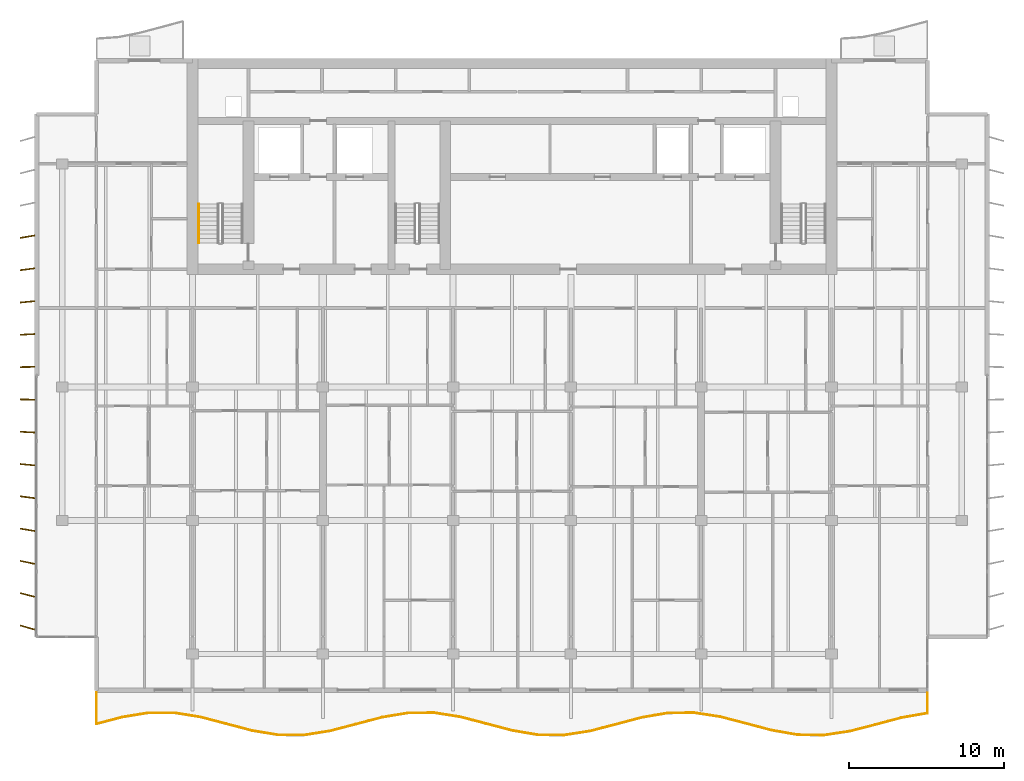
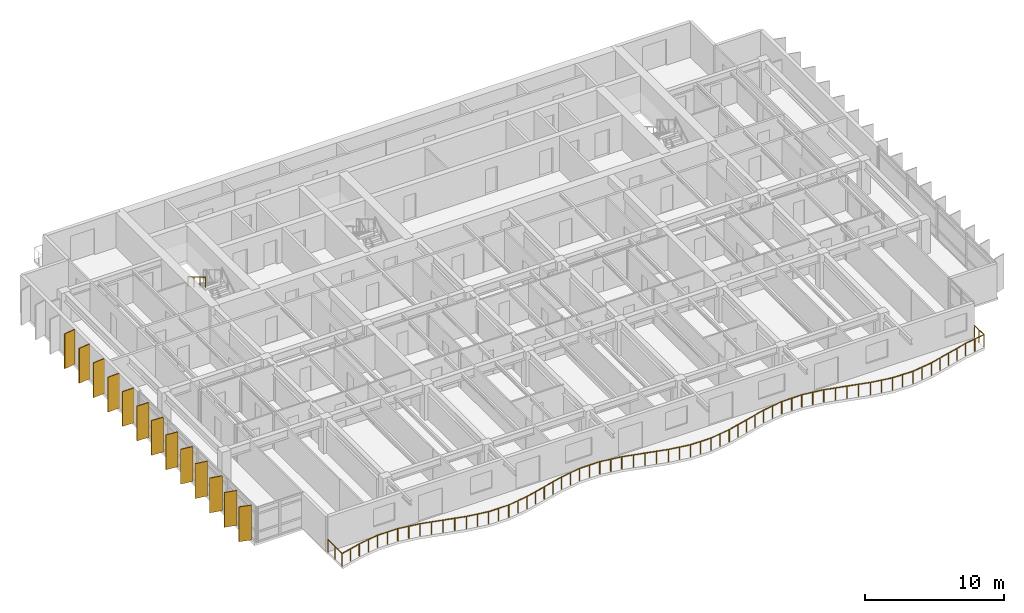
# One storey, part 13 of 17: 13 shading devices, 2 railings.
"""IFC4 building model written with IfcOpenShell, lengths in metres."""

from ifc_helpers import new_model, si_unit, direction, frame, origin, origin_2d, place, context, subcontext, project, spatial, rectangle, circle, extrude, material, material_profile, profile_set, type_object, element, save


model = new_model("IFC4")

# Units and contexts
model_context = context("Model", 3, precision=1e-05, world=origin(), true_north=direction((0.0, 1.0)))
body_context = subcontext(model_context, "Body", "Model", "MODEL_VIEW")
ifc_project = project(units=[si_unit("LENGTHUNIT", "METRE"), si_unit("AREAUNIT", "SQUARE_METRE"), si_unit("VOLUMEUNIT", "CUBIC_METRE"), si_unit("PLANEANGLEUNIT", "RADIAN"), si_unit("MASSUNIT", "GRAM", prefix="KILO")], contexts=[model_context])

# Site, building, storey
site_placement = place(None, origin())
site = spatial("IfcSite", under=ifc_project, at=site_placement, CompositionType="ELEMENT")
building_placement = place(site_placement, origin())
building = spatial("IfcBuilding", under=site, at=building_placement, Name="Caelmar Bay Residences", CompositionType="ELEMENT")
storey_placement = place(building_placement, frame((0.0, 0.0, 229.800048828125)))
storey = spatial("IfcBuildingStorey", under=building, at=storey_placement, Name="L64", CompositionType="ELEMENT", Elevation=229.800048828125)

# Railings
ifc_material_1 = material(Name="Anodised bronze handrail with laminated hurricane glass infill", Category="glass")
railing_type_1 = type_object("IfcRailingType", Name="RL-BAL-1100", PredefinedType="BALUSTRADE", material=ifc_material_1)
railing_1_placement = place(storey_placement, frame((12.10009765625, 9.699951171875, 0.0)))
element("IfcRailing", 1, at=railing_1_placement, inside=storey, type_object=railing_type_1, Name="L64 south Balcony Balustrade", PredefinedType="BALUSTRADE", context=body_context, shape_type="SweptSolid", body=[
    extrude(circle(Radius=0.02392578125, at=origin_2d()), frame((0.0, 0.0, 1.076171875), z_axis=(0.0, -1.0, 0.0), x_axis=(1.0, 0.0, 0.0)), (0.0, 0.0, 1.0), 2.02001953125),
    extrude(circle(Radius=0.02392578125, at=origin_2d()), frame((0.0, -2.02001953125, 1.076171875), z_axis=(0.967222308525, 0.253931104614, 0.0), x_axis=(-0.253931104614, 0.967222308525, 0.0)), (0.0, 0.0, 1.0), 1.7314453125),
    extrude(circle(Radius=0.02392578125, at=origin_2d()), frame((1.6748046875, -1.580322265625, 1.076171875), z_axis=(0.987005147608, 0.160688638665, 0.0), x_axis=(-0.160688638665, 0.987005147608, 0.0)), (0.0, 0.0, 1.0), 1.697021484375),
    extrude(circle(Radius=0.02392578125, at=origin_2d()), frame((3.349853515625, -1.3076171875, 1.076171875), z_axis=(0.999999139641, 0.001311761005, 0.0), x_axis=(-0.001311761005, 0.999999139641, 0.0)), (0.0, 0.0, 1.0), 1.675048828125),
    extrude(circle(Radius=0.02392578125, at=origin_2d()), frame((5.02490234375, -1.305419921875, 1.076171875), z_axis=(0.987345263102, -0.158585407366, 0.0), x_axis=(0.158585407366, 0.987345263102, 0.0)), (0.0, 0.0, 1.0), 1.696533203125),
    extrude(circle(Radius=0.02392578125, at=origin_2d()), frame((6.699951171875, -1.574462890625, 1.076171875), z_axis=(0.967404305386, -0.253236865249, 0.0), x_axis=(0.253236865249, 0.967404305386, 0.0)), (0.0, 0.0, 1.0), 1.7314453125),
    extrude(circle(Radius=0.02392578125, at=origin_2d()), frame((8.375, -2.012939453125, 1.076171875), z_axis=(0.967048968014, -0.2545904426, 0.0), x_axis=(0.2545904426, 0.967048968014, 0.0)), (0.0, 0.0, 1.0), 1.73193359375),
    extrude(circle(Radius=0.02392578125, at=origin_2d()), frame((10.0498046875, -2.453857421875, 1.076171875), z_axis=(0.98666079228, -0.162789683262, 0.0), x_axis=(0.162789683262, 0.98666079228, 0.0)), (0.0, 0.0, 1.0), 1.69775390625),
    extrude(circle(Radius=0.02392578125, at=origin_2d()), frame((11.724853515625, -2.730224609375, 1.076171875), z_axis=(0.999992819789, -0.003789507844, 0.0), x_axis=(0.003789507844, 0.999992819789, 0.0)), (0.0, 0.0, 1.0), 1.675048828125),
    extrude(circle(Radius=0.02392578125, at=origin_2d()), frame((13.39990234375, -2.736572265625, 1.076171875), z_axis=(0.987658866913, 0.156620441219, 0.0), x_axis=(-0.156620441219, 0.987658866913, 0.0)), (0.0, 0.0, 1.0), 1.696044921875),
    extrude(circle(Radius=0.02392578125, at=origin_2d()), frame((15.074951171875, -2.470947265625, 1.076171875), z_axis=(0.967611281442, 0.252444861359, 0.0), x_axis=(-0.252444861359, 0.967611281442, 0.0)), (0.0, 0.0, 1.0), 1.731201171875),
    extrude(circle(Radius=0.02392578125, at=origin_2d()), frame((16.75, -2.033935546875, 1.076171875), z_axis=(0.966840448599, 0.255381179717, 0.0), x_axis=(-0.255381179717, 0.966840448599, 0.0)), (0.0, 0.0, 1.0), 1.732177734375),
    extrude(circle(Radius=0.02392578125, at=origin_2d()), frame((18.4248046875, -1.591552734375, 1.076171875), z_axis=(0.986358932104, 0.164608800067, 0.0), x_axis=(-0.164608800067, 0.986358932104, 0.0)), (0.0, 0.0, 1.0), 1.6982421875),
    extrude(circle(Radius=0.02392578125, at=origin_2d()), frame((20.099853515625, -1.31201171875, 1.076171875), z_axis=(0.999979436969, 0.006412927449, 0.0), x_axis=(-0.006412927449, 0.999979436969, 0.0)), (0.0, 0.0, 1.0), 1.675048828125),
    extrude(circle(Radius=0.02392578125, at=origin_2d()), frame((21.77490234375, -1.30126953125, 1.076171875), z_axis=(0.987990746814, -0.154513055142, 0.0), x_axis=(0.154513055142, 0.987990746814, 0.0)), (0.0, 0.0, 1.0), 1.6953125),
    extrude(circle(Radius=0.02392578125, at=origin_2d()), frame((23.449951171875, -1.563232421875, 1.076171875), z_axis=(0.967783333474, -0.251784470231, 0.0), x_axis=(0.251784470231, 0.967783333474, 0.0)), (0.0, 0.0, 1.0), 1.730712890625),
    extrude(circle(Radius=0.02392578125, at=origin_2d()), frame((25.125, -1.9990234375, 1.076171875), z_axis=(0.966701126632, -0.255908053348, 0.0), x_axis=(0.255908053348, 0.966701126632, 0.0)), (0.0, 0.0, 1.0), 1.732421875),
    extrude(circle(Radius=0.02392578125, at=origin_2d()), frame((26.7998046875, -2.4423828125, 1.076171875), z_axis=(0.986006699447, -0.166705694703, 0.0), x_axis=(0.166705694703, 0.986006699447, 0.0)), (0.0, 0.0, 1.0), 1.69873046875),
    extrude(circle(Radius=0.02392578125, at=origin_2d()), frame((28.474853515625, -2.7255859375, 1.076171875), z_axis=(0.999959172579, -0.009036214648, 0.0), x_axis=(0.009036214648, 0.999959172579, 0.0)), (0.0, 0.0, 1.0), 1.675048828125),
    extrude(circle(Radius=0.02392578125, at=origin_2d()), frame((30.14990234375, -2.74072265625, 1.076171875), z_axis=(0.988274914927, 0.152684945317, 0.0), x_axis=(-0.152684945317, 0.988274914927, 0.0)), (0.0, 0.0, 1.0), 1.69482421875),
    extrude(circle(Radius=0.02392578125, at=origin_2d()), frame((31.824951171875, -2.48193359375, 1.076171875), z_axis=(0.968023551237, 0.250859331599, 0.0), x_axis=(-0.250859331599, 0.968023551237, 0.0)), (0.0, 0.0, 1.0), 1.73046875),
    extrude(circle(Radius=0.02392578125, at=origin_2d()), frame((33.5, -2.0478515625, 1.076171875), z_axis=(0.966526627148, 0.256566324787, 0.0), x_axis=(-0.256566324787, 0.966526627148, 0.0)), (0.0, 0.0, 1.0), 1.73291015625),
    extrude(circle(Radius=0.02392578125, at=origin_2d()), frame((35.1748046875, -1.603271484375, 1.076171875), z_axis=(0.985674159439, 0.168660758371, 0.0), x_axis=(-0.168660758371, 0.985674159439, 0.0)), (0.0, 0.0, 1.0), 1.699462890625),
    extrude(circle(Radius=0.02392578125, at=origin_2d()), frame((36.849853515625, -1.316650390625, 1.076171875), z_axis=(0.999933716388, 0.011513593295, 0.0), x_axis=(-0.011513593295, 0.999933716388, 0.0)), (0.0, 0.0, 1.0), 1.675048828125),
    extrude(circle(Radius=0.02392578125, at=origin_2d()), frame((38.52490234375, -1.29736328125, 1.076171875), z_axis=(0.988620234963, -0.150432812316, 0.0), x_axis=(0.150432812316, 0.988620234963, 0.0)), (0.0, 0.0, 1.0), 1.6943359375),
    extrude(circle(Radius=0.02392578125, at=origin_2d()), frame((40.199951171875, -1.55224609375, 1.076171875), z_axis=(0.968228842599, -0.250065808058, 0.0), x_axis=(0.250065808058, 0.968228842599, 0.0)), (0.0, 0.0, 1.0), 1.72998046875),
    extrude(circle(Radius=0.02392578125, at=origin_2d()), frame((41.875, -1.98486328125, 1.076171875), z_axis=(0.966351742726, -0.25722423939, 0.0), x_axis=(0.25722423939, 0.966351742726, 0.0)), (0.0, 0.0, 1.0), 1.733154296875),
    extrude(circle(Radius=0.02392578125, at=origin_2d()), frame((43.5498046875, -2.4306640625, 1.076171875), z_axis=(0.985337972393, -0.170613833436, 0.0), x_axis=(0.170613833436, 0.985337972393, 0.0)), (0.0, 0.0, 1.0), 1.699951171875),
    extrude(circle(Radius=0.02392578125, at=origin_2d()), frame((45.224853515625, -2.720703125, 1.076171875), z_axis=(0.999900075143, -0.01413646805, 0.0), x_axis=(0.01413646805, 0.999900075143, 0.0)), (0.0, 0.0, 1.0), 1.67529296875),
    extrude(circle(Radius=0.02392578125, at=origin_2d()), frame((46.89990234375, -2.744384765625, 1.076171875), z_axis=(0.988939524411, 0.148319307771, 0.0), x_axis=(-0.148319307771, 0.988939524411, 0.0)), (0.0, 0.0, 1.0), 1.69384765625),
    extrude(circle(Radius=0.02392578125, at=origin_2d()), frame((48.574951171875, -2.4931640625, 1.076171875), z_axis=(0.968433570022, 0.249271780303, 0.0), x_axis=(-0.249271780303, 0.968433570022, 0.0)), (0.0, 0.0, 1.0), 1.729736328125),
    extrude(circle(Radius=0.02392578125, at=origin_2d()), frame((50.25, -2.06201171875, 1.076171875), z_axis=(0.966176474063, 0.257881796503, 0.0), x_axis=(-0.257881796503, 0.966176474063, 0.0)), (0.0, 0.0, 1.0), 1.7333984375),
    extrude(circle(Radius=0.02392578125, at=origin_2d()), frame((51.9248046875, -1.614990234375, 1.076171875), z_axis=(0.985022543301, 0.172425604796, 0.0), x_axis=(-0.172425604796, 0.985022543301, 0.0)), (0.0, 0.0, 1.0), 1.700439453125),
    extrude(circle(Radius=0.02392578125, at=origin_2d()), frame((53.599853515625, -1.32177734375, 1.076171875), z_axis=(0.0, 1.0, 0.0), x_axis=(-1.0, 0.0, 0.0)), (0.0, 0.0, 1.0), 1.32177734375),
    extrude(circle(Radius=0.02099609375, at=origin_2d()), origin(), (0.0, 0.0, 1.0), 1.052001953125),
    extrude(circle(Radius=0.02099609375, at=origin_2d()), frame((0.0, -1.010009765625, 0.0)), (0.0, 0.0, 1.0), 1.052001953125),
    extrude(circle(Radius=0.02099609375, at=origin_2d()), frame((0.0, -2.02001953125, 0.0)), (0.0, 0.0, 1.0), 1.052001953125),
    extrude(circle(Radius=0.02099609375, at=origin_2d()), frame((0.83740234375, -1.80029296875, 0.0)), (0.0, 0.0, 1.0), 1.052001953125),
    extrude(circle(Radius=0.02099609375, at=origin_2d()), frame((1.6748046875, -1.580322265625, 0.0)), (0.0, 0.0, 1.0), 1.052001953125),
    extrude(circle(Radius=0.02099609375, at=origin_2d()), frame((2.51220703125, -1.44384765625, 0.0)), (0.0, 0.0, 1.0), 1.052001953125),
    extrude(circle(Radius=0.02099609375, at=origin_2d()), frame((3.349853515625, -1.3076171875, 0.0)), (0.0, 0.0, 1.0), 1.052001953125),
    extrude(circle(Radius=0.02099609375, at=origin_2d()), frame((4.1875, -1.306640625, 0.0)), (0.0, 0.0, 1.0), 1.052001953125),
    extrude(circle(Radius=0.02099609375, at=origin_2d()), frame((5.02490234375, -1.305419921875, 0.0)), (0.0, 0.0, 1.0), 1.052001953125),
    extrude(circle(Radius=0.02099609375, at=origin_2d()), frame((5.8623046875, -1.43994140625, 0.0)), (0.0, 0.0, 1.0), 1.052001953125),
    extrude(circle(Radius=0.02099609375, at=origin_2d()), frame((6.699951171875, -1.574462890625, 0.0)), (0.0, 0.0, 1.0), 1.052001953125),
    extrude(circle(Radius=0.02099609375, at=origin_2d()), frame((7.53759765625, -1.793701171875, 0.0)), (0.0, 0.0, 1.0), 1.052001953125),
    extrude(circle(Radius=0.02099609375, at=origin_2d()), frame((8.375, -2.012939453125, 0.0)), (0.0, 0.0, 1.0), 1.052001953125),
    extrude(circle(Radius=0.02099609375, at=origin_2d()), frame((9.21240234375, -2.2333984375, 0.0)), (0.0, 0.0, 1.0), 1.052001953125),
    extrude(circle(Radius=0.02099609375, at=origin_2d()), frame((10.0498046875, -2.453857421875, 0.0)), (0.0, 0.0, 1.0), 1.052001953125),
    extrude(circle(Radius=0.02099609375, at=origin_2d()), frame((10.88720703125, -2.592041015625, 0.0)), (0.0, 0.0, 1.0), 1.052001953125),
    extrude(circle(Radius=0.02099609375, at=origin_2d()), frame((11.724853515625, -2.730224609375, 0.0)), (0.0, 0.0, 1.0), 1.052001953125),
    extrude(circle(Radius=0.02099609375, at=origin_2d()), frame((12.5625, -2.7333984375, 0.0)), (0.0, 0.0, 1.0), 1.052001953125),
    extrude(circle(Radius=0.02099609375, at=origin_2d()), frame((13.39990234375, -2.736572265625, 0.0)), (0.0, 0.0, 1.0), 1.052001953125),
    extrude(circle(Radius=0.02099609375, at=origin_2d()), frame((14.2373046875, -2.603759765625, 0.0)), (0.0, 0.0, 1.0), 1.052001953125),
    extrude(circle(Radius=0.02099609375, at=origin_2d()), frame((15.074951171875, -2.470947265625, 0.0)), (0.0, 0.0, 1.0), 1.052001953125),
    extrude(circle(Radius=0.02099609375, at=origin_2d()), frame((15.91259765625, -2.25244140625, 0.0)), (0.0, 0.0, 1.0), 1.052001953125),
    extrude(circle(Radius=0.02099609375, at=origin_2d()), frame((16.75, -2.033935546875, 0.0)), (0.0, 0.0, 1.0), 1.052001953125),
    extrude(circle(Radius=0.02099609375, at=origin_2d()), frame((17.58740234375, -1.812744140625, 0.0)), (0.0, 0.0, 1.0), 1.052001953125),
    extrude(circle(Radius=0.02099609375, at=origin_2d()), frame((18.4248046875, -1.591552734375, 0.0)), (0.0, 0.0, 1.0), 1.052001953125),
    extrude(circle(Radius=0.02099609375, at=origin_2d()), frame((19.26220703125, -1.45166015625, 0.0)), (0.0, 0.0, 1.0), 1.052001953125),
    extrude(circle(Radius=0.02099609375, at=origin_2d()), frame((20.099853515625, -1.31201171875, 0.0)), (0.0, 0.0, 1.0), 1.052001953125),
    extrude(circle(Radius=0.02099609375, at=origin_2d()), frame((20.9375, -1.306640625, 0.0)), (0.0, 0.0, 1.0), 1.052001953125),
    extrude(circle(Radius=0.02099609375, at=origin_2d()), frame((21.77490234375, -1.30126953125, 0.0)), (0.0, 0.0, 1.0), 1.052001953125),
    extrude(circle(Radius=0.02099609375, at=origin_2d()), frame((22.6123046875, -1.43212890625, 0.0)), (0.0, 0.0, 1.0), 1.052001953125),
    extrude(circle(Radius=0.02099609375, at=origin_2d()), frame((23.449951171875, -1.563232421875, 0.0)), (0.0, 0.0, 1.0), 1.052001953125),
    extrude(circle(Radius=0.02099609375, at=origin_2d()), frame((24.28759765625, -1.78125, 0.0)), (0.0, 0.0, 1.0), 1.052001953125),
    extrude(circle(Radius=0.02099609375, at=origin_2d()), frame((25.125, -1.9990234375, 0.0)), (0.0, 0.0, 1.0), 1.052001953125),
    extrude(circle(Radius=0.02099609375, at=origin_2d()), frame((25.96240234375, -2.220703125, 0.0)), (0.0, 0.0, 1.0), 1.052001953125),
    extrude(circle(Radius=0.02099609375, at=origin_2d()), frame((26.7998046875, -2.4423828125, 0.0)), (0.0, 0.0, 1.0), 1.052001953125),
    extrude(circle(Radius=0.02099609375, at=origin_2d()), frame((27.63720703125, -2.583984375, 0.0)), (0.0, 0.0, 1.0), 1.052001953125),
    extrude(circle(Radius=0.02099609375, at=origin_2d()), frame((28.474853515625, -2.7255859375, 0.0)), (0.0, 0.0, 1.0), 1.052001953125),
    extrude(circle(Radius=0.02099609375, at=origin_2d()), frame((29.3125, -2.733154296875, 0.0)), (0.0, 0.0, 1.0), 1.052001953125),
    extrude(circle(Radius=0.02099609375, at=origin_2d()), frame((30.14990234375, -2.74072265625, 0.0)), (0.0, 0.0, 1.0), 1.052001953125),
    extrude(circle(Radius=0.02099609375, at=origin_2d()), frame((30.9873046875, -2.611328125, 0.0)), (0.0, 0.0, 1.0), 1.052001953125),
    extrude(circle(Radius=0.02099609375, at=origin_2d()), frame((31.824951171875, -2.48193359375, 0.0)), (0.0, 0.0, 1.0), 1.052001953125),
    extrude(circle(Radius=0.02099609375, at=origin_2d()), frame((32.66259765625, -2.264892578125, 0.0)), (0.0, 0.0, 1.0), 1.052001953125),
    extrude(circle(Radius=0.02099609375, at=origin_2d()), frame((33.5, -2.0478515625, 0.0)), (0.0, 0.0, 1.0), 1.052001953125),
    extrude(circle(Radius=0.02099609375, at=origin_2d()), frame((34.33740234375, -1.82568359375, 0.0)), (0.0, 0.0, 1.0), 1.052001953125),
    extrude(circle(Radius=0.02099609375, at=origin_2d()), frame((35.1748046875, -1.603271484375, 0.0)), (0.0, 0.0, 1.0), 1.052001953125),
    extrude(circle(Radius=0.02099609375, at=origin_2d()), frame((36.01220703125, -1.4599609375, 0.0)), (0.0, 0.0, 1.0), 1.052001953125),
    extrude(circle(Radius=0.02099609375, at=origin_2d()), frame((36.849853515625, -1.316650390625, 0.0)), (0.0, 0.0, 1.0), 1.052001953125),
    extrude(circle(Radius=0.02099609375, at=origin_2d()), frame((37.6875, -1.30712890625, 0.0)), (0.0, 0.0, 1.0), 1.052001953125),
    extrude(circle(Radius=0.02099609375, at=origin_2d()), frame((38.52490234375, -1.29736328125, 0.0)), (0.0, 0.0, 1.0), 1.052001953125),
    extrude(circle(Radius=0.02099609375, at=origin_2d()), frame((39.3623046875, -1.4248046875, 0.0)), (0.0, 0.0, 1.0), 1.052001953125),
    extrude(circle(Radius=0.02099609375, at=origin_2d()), frame((40.199951171875, -1.55224609375, 0.0)), (0.0, 0.0, 1.0), 1.052001953125),
    extrude(circle(Radius=0.02099609375, at=origin_2d()), frame((41.03759765625, -1.7685546875, 0.0)), (0.0, 0.0, 1.0), 1.052001953125),
    extrude(circle(Radius=0.02099609375, at=origin_2d()), frame((41.875, -1.98486328125, 0.0)), (0.0, 0.0, 1.0), 1.052001953125),
    extrude(circle(Radius=0.02099609375, at=origin_2d()), frame((42.71240234375, -2.207763671875, 0.0)), (0.0, 0.0, 1.0), 1.052001953125),
    extrude(circle(Radius=0.02099609375, at=origin_2d()), frame((43.5498046875, -2.4306640625, 0.0)), (0.0, 0.0, 1.0), 1.052001953125),
    extrude(circle(Radius=0.02099609375, at=origin_2d()), frame((44.38720703125, -2.57568359375, 0.0)), (0.0, 0.0, 1.0), 1.052001953125),
    extrude(circle(Radius=0.02099609375, at=origin_2d()), frame((45.224853515625, -2.720703125, 0.0)), (0.0, 0.0, 1.0), 1.052001953125),
    extrude(circle(Radius=0.02099609375, at=origin_2d()), frame((46.0625, -2.732421875, 0.0)), (0.0, 0.0, 1.0), 1.052001953125),
    extrude(circle(Radius=0.02099609375, at=origin_2d()), frame((46.89990234375, -2.744384765625, 0.0)), (0.0, 0.0, 1.0), 1.052001953125),
    extrude(circle(Radius=0.02099609375, at=origin_2d()), frame((47.7373046875, -2.61865234375, 0.0)), (0.0, 0.0, 1.0), 1.052001953125),
    extrude(circle(Radius=0.02099609375, at=origin_2d()), frame((48.574951171875, -2.4931640625, 0.0)), (0.0, 0.0, 1.0), 1.052001953125),
    extrude(circle(Radius=0.02099609375, at=origin_2d()), frame((49.41259765625, -2.277587890625, 0.0)), (0.0, 0.0, 1.0), 1.052001953125),
    extrude(circle(Radius=0.02099609375, at=origin_2d()), frame((50.25, -2.06201171875, 0.0)), (0.0, 0.0, 1.0), 1.052001953125),
    extrude(circle(Radius=0.02099609375, at=origin_2d()), frame((51.08740234375, -1.83837890625, 0.0)), (0.0, 0.0, 1.0), 1.052001953125),
    extrude(circle(Radius=0.02099609375, at=origin_2d()), frame((51.9248046875, -1.614990234375, 0.0)), (0.0, 0.0, 1.0), 1.052001953125),
    extrude(circle(Radius=0.02099609375, at=origin_2d()), frame((52.76220703125, -1.46826171875, 0.0)), (0.0, 0.0, 1.0), 1.052001953125),
    extrude(circle(Radius=0.02099609375, at=origin_2d()), frame((53.599853515625, -1.32177734375, 0.0)), (0.0, 0.0, 1.0), 1.052001953125),
    extrude(circle(Radius=0.02099609375, at=origin_2d()), frame((53.599853515625, -0.660888671875, 0.0)), (0.0, 0.0, 1.0), 1.052001953125),
    extrude(circle(Radius=0.02099609375, at=origin_2d()), frame((53.599853515625, 0.0, 0.0)), (0.0, 0.0, 1.0), 1.052001953125),
])
ifc_material_2 = material(Name="Brushed bronze stainless-steel tubular handrail 900 mm", Category="steel")
railing_type_2 = type_object("IfcRailingType", Name="RL-HND-900", PredefinedType="HANDRAIL", material=ifc_material_2)
railing_2_placement = place(storey_placement, frame((18.699951171875, 41.219970703125, 1.81494140625)))
element("IfcRailing", 2, at=railing_2_placement, inside=storey, type_object=railing_type_2, Name="L64 ST1 stair handrail 2", PredefinedType="HANDRAIL", context=body_context, shape_type="SweptSolid", body=[
    extrude(circle(Radius=0.02392578125, at=origin_2d()), frame((0.0, 0.0, 0.8759765625), z_axis=(0.0, -0.86152411907, 0.507716645641), x_axis=(1.0, 0.0, 0.0)), (0.0, 0.0, 1.0), 2.925048828125),
    extrude(circle(Radius=0.02099609375, at=origin_2d()), origin(), (0.0, 0.0, 1.0), 0.851806640625),
    extrude(circle(Radius=0.02099609375, at=origin_2d()), frame((0.0, -0.840087890625, 0.4951171875)), (0.0, 0.0, 1.0), 0.851806640625),
    extrude(circle(Radius=0.02099609375, at=origin_2d()), frame((0.0, -1.679931640625, 0.989990234375)), (0.0, 0.0, 1.0), 0.851806640625),
    extrude(circle(Radius=0.02099609375, at=origin_2d()), frame((0.0, -2.52001953125, 1.485107421875)), (0.0, 0.0, 1.0), 0.851806640625),
])

# Shading devices
ifc_material_3 = material(Name="Anodised architectural bronze aluminium 6063-T6", Category="aluminium")
ifc_material_profile = material_profile(ifc_material_3, rectangle(XDim=0.074951171875, YDim=0.949951171875, at=origin_2d()), Name="BRONZE-FIN-75X950")
ifc_profile_set = profile_set([ifc_material_profile], Name="Anodised architectural bronze aluminium 6063-T6")
shading_device_type = type_object("IfcShadingDeviceType", Name="SHD-FIN-950", PredefinedType="USERDEFINED", material=ifc_profile_set)
for number, where, z_axis, x_axis, name in (
    (3, (7.64990234375, 13.89990234375, 0.0), (0.0, 0.0, 1.0), (0.275637355817, 0.961261695938, 0.0), "L64 West Bronze Solar Fin 1"),
    (4, (7.64990234375, 16.0, 0.0), (0.0, 0.0, 1.0), (0.239719743609, 0.970842131618, 0.0), "L64 West Bronze Solar Fin 2"),
    (5, (7.64990234375, 18.10009765625, 0.0), (0.0, 0.0, 1.0), (0.2032999874, 0.979116497217, 0.0), "L64 West Bronze Solar Fin 3"),
    (6, (7.64990234375, 20.199951171875, 0.0), (0.0, 0.0, 1.0), (0.166768746716, 0.985996037071, 0.0), "L64 West Bronze Solar Fin 4"),
    (7, (7.64990234375, 22.300048828125, 0.0), (0.0, 0.0, 1.0), (0.130007055036, 0.99151306882, 0.0), "L64 West Bronze Solar Fin 5"),
    (8, (7.64990234375, 24.39990234375, 0.0), (0.0, 0.0, 1.0), (0.092891934994, 0.995676196569, 0.0), "L64 West Bronze Solar Fin 6"),
    (9, (7.64990234375, 26.5, 0.0), (0.0, 0.0, 1.0), (0.055821504993, 0.998440764182, 0.0), "L64 West Bronze Solar Fin 7"),
    (10, (7.64990234375, 28.60009765625, 0.0), (0.0, 0.0, 1.0), (0.018673937509, 0.999825626826, 0.0), "L64 West Bronze Solar Fin 8"),
    (11, (7.64990234375, 30.699951171875, 0.0), (0.0, 0.0, 1.0), (-0.018673937509, 0.999825626826, 0.0), "L64 West Bronze Solar Fin 9"),
    (12, (7.64990234375, 32.800048828125, 0.0), (0.0, 0.0, 1.0), (-0.055821504993, 0.998440764182, 0.0), "L64 West Bronze Solar Fin 10"),
    (13, (7.64990234375, 34.89990234375, 0.0), (0.0, 0.0, 1.0), (-0.092891934994, 0.995676196569, 0.0), "L64 West Bronze Solar Fin 11"),
    (14, (7.64990234375, 37.0, 0.0), (0.0, 0.0, 1.0), (-0.130007055036, 0.99151306882, 0.0), "L64 West Bronze Solar Fin 12"),
    (15, (7.64990234375, 39.10009765625, 0.0), (0.0, 0.0, 1.0), (-0.166768746716, 0.985996037071, 0.0), "L64 West Bronze Solar Fin 13"),
):
    element("IfcShadingDevice", number, at=place(storey_placement, frame(where, z_axis=z_axis, x_axis=x_axis)), inside=storey, type_object=shading_device_type, Name=name, ObjectType="FIN", PredefinedType="USERDEFINED", context=body_context, shape_type="SweptSolid", body=[
        extrude(rectangle(XDim=0.074951171875, YDim=0.949951171875, at=origin_2d()), origin(), (0.0, 0.0, 1.0), 3.050048828125),
    ])

save(model, "model.ifc")
